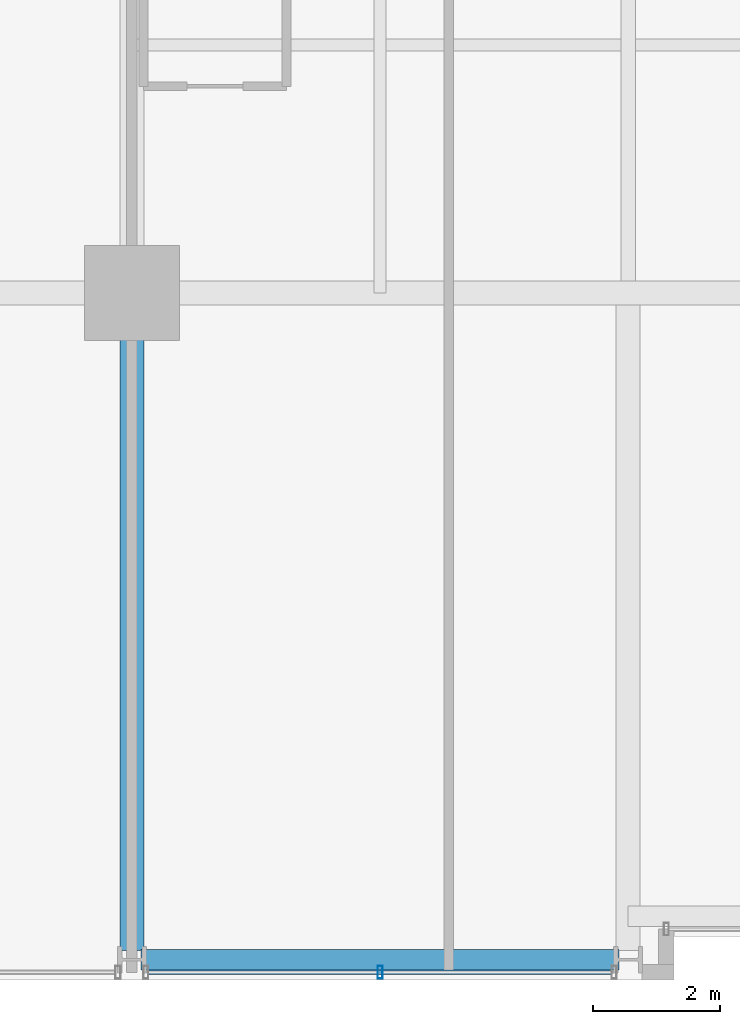
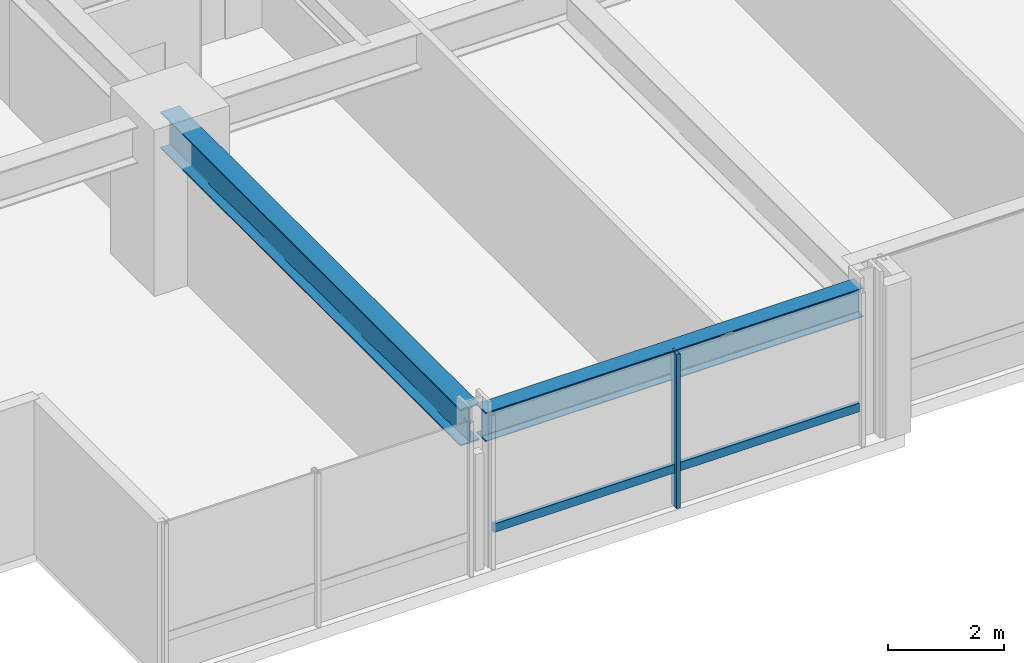
# One storey, part 3 of 34: 2 beams, 2 members, 1 element without a shape of its own.
"""IFC4 building model written with IfcOpenShell, lengths in metres."""

from ifc_helpers import new_model, si_unit, direction, frame, origin, origin_2d, place, context, subcontext, project, spatial, hollow_rectangle, i_section, extrude, material, layer, layer_set, material_profile, profile_set, type_object, element, aggregate, save


model = new_model("IFC4")

# Units and contexts
model_context = context("Model", 3, precision=1e-05, world=origin(), true_north=direction((0.0, 1.0)))
body_context = subcontext(model_context, "Body", "Model", "MODEL_VIEW")
ifc_project = project(units=[si_unit("LENGTHUNIT", "METRE"), si_unit("AREAUNIT", "SQUARE_METRE"), si_unit("VOLUMEUNIT", "CUBIC_METRE"), si_unit("PLANEANGLEUNIT", "RADIAN"), si_unit("MASSUNIT", "GRAM", prefix="KILO")], contexts=[model_context])

# Site, building, storey
site_placement = place(None, origin())
site = spatial("IfcSite", under=ifc_project, at=site_placement, CompositionType="ELEMENT")
building_placement = place(site_placement, origin())
building = spatial("IfcBuilding", under=site, at=building_placement, Name="Drelvath Grand Hotel", CompositionType="ELEMENT")
storey_placement = place(building_placement, frame((0.0, 0.0, 112.800048828125)))
storey = spatial("IfcBuildingStorey", under=building, at=storey_placement, Name="L28", CompositionType="ELEMENT", Elevation=112.800048828125)

# Curtain wall, members
ifc_material_1 = material(Name="Champagne Bronze Anodised Aluminium Frame", Category="aluminium")
ifc_layer = layer(ifc_material_1, 0.199951171875)
ifc_layer_set = layer_set([ifc_layer], Name="Champagne Bronze Anodised Aluminium Frame")
curtain_wall_type = type_object("IfcCurtainWallType", Name="Stick Curtain Wall CW-03 Champagne Bronze Mid-Rise", PredefinedType="NOTDEFINED", material=ifc_layer_set)
curtain_wall_placement = place(storey_placement, origin())
curtain_wall = element("IfcCurtainWall", 1, at=curtain_wall_placement, inside=storey, type_object=curtain_wall_type, Name="L28 CW-03 Curtain Wall CW03-L28-SW2", PredefinedType="NOTDEFINED")
ifc_material_profile_1 = material_profile(ifc_material_1, hollow_rectangle(XDim=0.074951171875, YDim=0.179931640625, WallThickness=0.0048828125, at=origin_2d()), Name="HSS180X75X5")
ifc_profile_set_1 = profile_set([ifc_material_profile_1], Name="Champagne Bronze Anodised Aluminium Frame")
member_type_1 = type_object("IfcMemberType", Name="Curtain Wall Horizontal Transom CW-03 HSS180X75X5", PredefinedType="USERDEFINED", material=ifc_profile_set_1)
member_1_placement = place(storey_placement, frame((-8.65966796875, 0.1201171875, 0.81005859375), z_axis=(-1.0, 0.0, 0.0), x_axis=(0.0, -1.0, 0.0)))
member_1 = element("IfcMember", 2, at=member_1_placement, type_object=member_type_1, Name="CW03-L28-SW2 Sill Transom", ObjectType="TRANSOM", PredefinedType="USERDEFINED", context=body_context, shape_type="SweptSolid", body=[
    extrude(hollow_rectangle(XDim=0.074951171875, YDim=0.179931640625, WallThickness=0.0048828125, at=origin_2d()), origin(), (0.0, 0.0, 1.0), 7.28076171875),
])
ifc_material_profile_2 = material_profile(ifc_material_1, hollow_rectangle(XDim=0.080078125, YDim=0.199951171875, WallThickness=0.0048828125, at=origin_2d()), Name="HSS200X80X5")
ifc_profile_set_2 = profile_set([ifc_material_profile_2], Name="Champagne Bronze Anodised Aluminium Frame")
member_type_2 = type_object("IfcMemberType", Name="Curtain Wall Vertical Mullion CW-03 HSS200X80X5", PredefinedType="MULLION", material=ifc_profile_set_2)
member_2_placement = place(storey_placement, frame((-12.300048828125, 0.1201171875, 0.0), z_axis=(0.0, 0.0, 1.0), x_axis=(1.0, 0.0, 0.0)))
member_2 = element("IfcMember", 3, at=member_2_placement, type_object=member_type_2, Name="CW03-L28-SW2 Mullion 2", PredefinedType="MULLION", context=body_context, shape_type="SweptSolid", body=[
    extrude(hollow_rectangle(XDim=0.080078125, YDim=0.199951171875, WallThickness=0.0048828125, at=origin_2d()), origin(), (0.0, 0.0, 1.0), 3.239990234375),
])
aggregate(curtain_wall, [member_2, member_1])

# Beams
ifc_material_2 = material(Name="Steel ASTM A992 Gr 50", Category="steel")
ifc_material_profile_3 = material_profile(ifc_material_2, i_section(OverallWidth=0.323974609375, OverallDepth=0.611083984375, WebThickness=0.0126953125, FlangeThickness=0.01904296875, FilletRadius=0.02197265625, at=origin_2d()), Name="W24X104")
ifc_profile_set_3 = profile_set([ifc_material_profile_3], Name="Steel ASTM A992 Gr 50")
beam_type_1 = type_object("IfcBeamType", Name="Perimeter Spandrel Beam W24X104", PredefinedType="SPANDREL", material=ifc_profile_set_3)
beam_1_placement = place(storey_placement, frame((-16.06005859375, 0.320068359375, 2.9345703125), z_axis=(1.0, 0.0, 0.0), x_axis=(0.0, 1.0, 0.0)))
element("IfcBeam", 4, at=beam_1_placement, inside=storey, type_object=beam_type_1, Name="L28 Spandrel South W", PredefinedType="SPANDREL", context=body_context, shape_type="SweptSolid", body=[
    extrude(i_section(OverallWidth=0.323974609375, OverallDepth=0.611083984375, WebThickness=0.0126953125, FlangeThickness=0.01904296875, FilletRadius=0.02197265625, at=origin_2d()), origin(), (0.0, 0.0, 1.0), 7.52001953125),
])
ifc_material_profile_4 = material_profile(ifc_material_2, i_section(OverallWidth=0.380615234375, OverallDepth=0.773193359375, WebThickness=0.0166015625, FlangeThickness=0.027099609375, FilletRadius=0.02490234375, at=origin_2d()), Name="W30X173")
ifc_profile_set_4 = profile_set([ifc_material_profile_4], Name="Steel ASTM A992 Gr 50")
beam_type_2 = type_object("IfcBeamType", Name="Primary Floor Girder W30X173", PredefinedType="BEAM", material=ifc_profile_set_4)
beam_2_placement = place(storey_placement, frame((-16.199951171875, 0.4599609375, 2.853271484375), z_axis=(0.0, 1.0, 0.0), x_axis=(-1.0, 0.0, 0.0)))
element("IfcBeam", 5, at=beam_2_placement, inside=storey, type_object=beam_type_2, Name="L28 South Grid Girder 3", PredefinedType="BEAM", context=body_context, shape_type="SweptSolid", body=[
    extrude(i_section(OverallWidth=0.380615234375, OverallDepth=0.773193359375, WebThickness=0.0166015625, FlangeThickness=0.027099609375, FilletRadius=0.02490234375, at=origin_2d()), origin(), (0.0, 0.0, 1.0), 10.340087890625),
])

save(model, "model.ifc")
